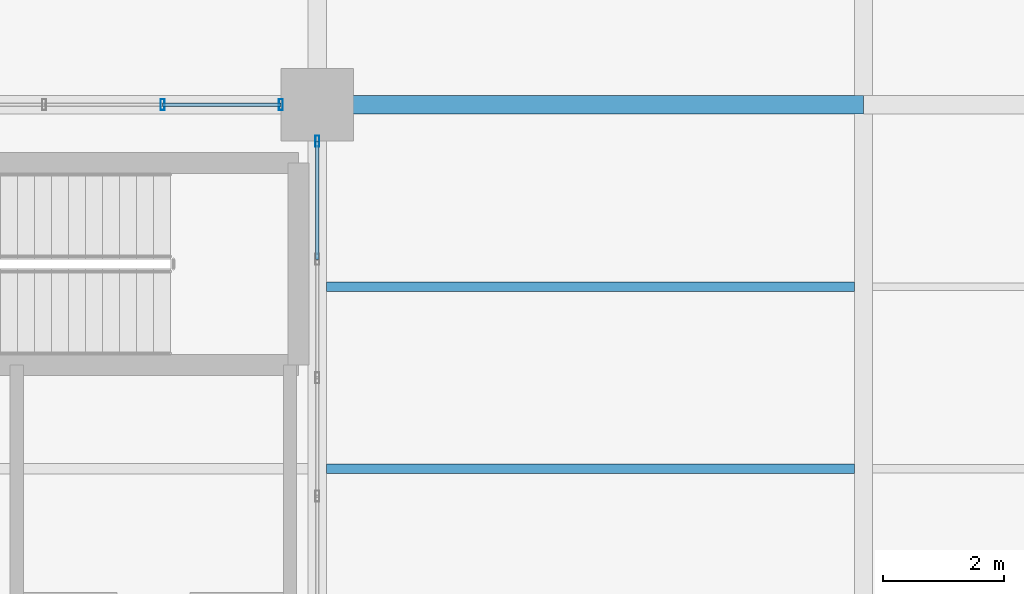
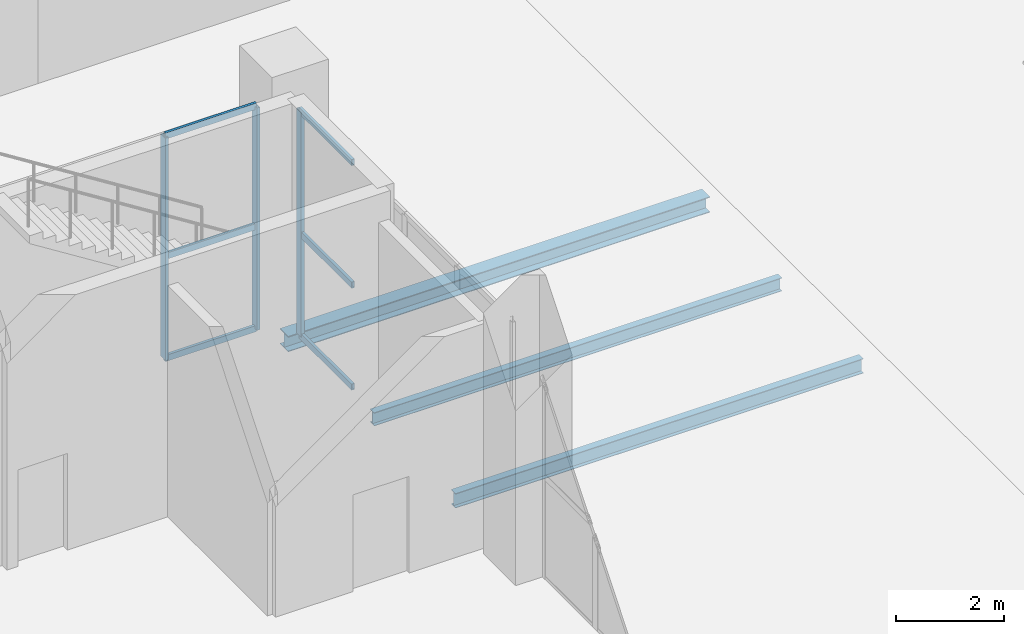
# One storey, part 64 of 144: 9 members, 3 beams, 2 elements without a shape of their own.
"""IFC4 building model written with IfcOpenShell, lengths in metres."""

from ifc_helpers import new_model, si_unit, direction, frame, origin, origin_2d, place, context, subcontext, project, spatial, hollow_rectangle, i_section, extrude, material, layer, layer_set, material_profile, profile_set, type_object, element, aggregate, save


model = new_model("IFC4")

# Units and contexts
model_context = context("Model", 3, precision=1e-05, world=origin(), true_north=direction((0.0, 1.0)))
body_context = subcontext(model_context, "Body", "Model", "MODEL_VIEW")
ifc_project = project(units=[si_unit("LENGTHUNIT", "METRE"), si_unit("AREAUNIT", "SQUARE_METRE"), si_unit("VOLUMEUNIT", "CUBIC_METRE"), si_unit("PLANEANGLEUNIT", "RADIAN"), si_unit("MASSUNIT", "GRAM", prefix="KILO")], contexts=[model_context])

# Site, building, storey
site_placement = place(None, origin())
site = spatial("IfcSite", under=ifc_project, at=site_placement, CompositionType="ELEMENT")
building_placement = place(site_placement, origin())
building = spatial("IfcBuilding", under=site, at=building_placement, Name="Sundgate Opera House", CompositionType="ELEMENT")
storey_placement = place(building_placement, origin())
storey = spatial("IfcBuildingStorey", under=building, at=storey_placement, Name="L00", CompositionType="ELEMENT", Elevation=0.0)

# Beams
ifc_material_1 = material(Name="Steel S355J2", Category="steel")
ifc_material_profile_1 = material_profile(ifc_material_1, i_section(OverallWidth=0.300048828125, OverallDepth=0.35009765625, WebThickness=0.010009765625, FlangeThickness=0.017578125, at=origin_2d()), Name="HEA 360")
ifc_profile_set_1 = profile_set([ifc_material_profile_1], Name="Steel S355J2")
beam_type_1 = type_object("IfcBeamType", Name="BM-GR-HEA360", PredefinedType="BEAM", material=ifc_profile_set_1)
beam_1_placement = place(storey_placement, frame((72.0, 78.0, -0.4951171875), z_axis=(1.0, 0.0, 0.0), x_axis=(0.0, 1.0, 0.0)))
element("IfcBeam", 1, at=beam_1_placement, inside=storey, type_object=beam_type_1, Name="L00 Primary E-W Girder B0488", PredefinedType="BEAM", context=body_context, shape_type="SweptSolid", body=[
    extrude(i_section(OverallWidth=0.300048828125, OverallDepth=0.35009765625, WebThickness=0.010009765625, FlangeThickness=0.017578125, at=origin_2d()), origin(), (0.0, 0.0, 1.0), 9.0),
])
ifc_material_2 = material(Name="Steel S355J2", Category="steel")
ifc_material_profile_2 = material_profile(ifc_material_2, i_section(OverallWidth=0.14990234375, OverallDepth=0.300048828125, WebThickness=0.007080078125, FlangeThickness=0.0107421875, at=origin_2d()), Name="IPE 300")
ifc_profile_set_2 = profile_set([ifc_material_profile_2], Name="Steel S355J2")
beam_type_2 = type_object("IfcBeamType", Name="BM-JS-IPE300", PredefinedType="JOIST", material=ifc_profile_set_2)
beam_2_placement = place(storey_placement, frame((72.14990234375, 75.0, -0.469970703125), z_axis=(1.0, 0.0, 0.0), x_axis=(0.0, 1.0, 0.0)))
element("IfcBeam", 2, at=beam_2_placement, inside=storey, type_object=beam_type_2, Name="L00 Secondary Floor Joist B0851", PredefinedType="JOIST", context=body_context, shape_type="SweptSolid", body=[
    extrude(i_section(OverallWidth=0.14990234375, OverallDepth=0.300048828125, WebThickness=0.007080078125, FlangeThickness=0.0107421875, at=origin_2d()), origin(), (0.0, 0.0, 1.0), 8.7001953125),
])
ifc_material_3 = material(Name="Steel S355J2", Category="steel")
ifc_material_profile_3 = material_profile(ifc_material_3, i_section(OverallWidth=0.159912109375, OverallDepth=0.330078125, WebThickness=0.007568359375, FlangeThickness=0.011474609375, at=origin_2d()), Name="IPE 330")
ifc_profile_set_3 = profile_set([ifc_material_profile_3], Name="Steel S355J2")
beam_type_3 = type_object("IfcBeamType", Name="BM-JS-IPE330", PredefinedType="JOIST", material=ifc_profile_set_3)
beam_3_placement = place(storey_placement, frame((72.14990234375, 72.0, -0.485107421875), z_axis=(1.0, 0.0, 0.0), x_axis=(0.0, 1.0, 0.0)))
element("IfcBeam", 3, at=beam_3_placement, inside=storey, type_object=beam_type_3, Name="L00 Secondary Floor Joist B0850", PredefinedType="JOIST", context=body_context, shape_type="SweptSolid", body=[
    extrude(i_section(OverallWidth=0.159912109375, OverallDepth=0.330078125, WebThickness=0.007568359375, FlangeThickness=0.011474609375, at=origin_2d()), origin(), (0.0, 0.0, 1.0), 8.7001953125),
])

# Curtain wall, members
ifc_material_4 = material(Name="Anodized aluminium and low-iron glass", Category="aluminium")
ifc_layer = layer(ifc_material_4, 0.179931640625)
ifc_layer_set = layer_set([ifc_layer], Name="Anodized aluminium and low-iron glass")
curtain_wall_type = type_object("IfcCurtainWallType", Name="CW-FOYER-GLASS", PredefinedType="NOTDEFINED", material=ifc_layer_set)
curtain_wall_1_placement = place(storey_placement, origin())
curtain_wall_1 = element("IfcCurtainWall", 4, at=curtain_wall_1_placement, inside=storey, type_object=curtain_wall_type, Name="L00 Curtain Wall CW004", PredefinedType="NOTDEFINED")
ifc_material_5 = material(Name="Anodized aluminium EN AW-6063", Category="aluminium")
ifc_material_profile_4 = material_profile(ifc_material_5, hollow_rectangle(XDim=0.06494140625, YDim=0.179931640625, WallThickness=0.00390625, at=origin_2d()), Name="CWM 180x65x4")
ifc_profile_set_4 = profile_set([ifc_material_profile_4], Name="Anodized aluminium EN AW-6063")
member_type_1 = type_object("IfcMemberType", Name="CWM-ALU-180x65", PredefinedType="MULLION", material=ifc_profile_set_4)
member_1_placement = place(storey_placement, frame((69.449951171875, 78.0, 0.0), z_axis=(0.0, 0.0, 1.0), x_axis=(1.0, 0.0, 0.0)))
member_1 = element("IfcMember", 5, at=member_1_placement, type_object=member_type_1, Name="CW004 Mullion 4", PredefinedType="MULLION", context=body_context, shape_type="SweptSolid", body=[
    extrude(hollow_rectangle(XDim=0.06494140625, YDim=0.179931640625, WallThickness=0.00390625, at=origin_2d()), origin(), (0.0, 0.0, 1.0), 5.014892578125),
])
member_2_placement = place(storey_placement, frame((71.39990234375, 78.0, 0.0), z_axis=(0.0, 0.0, 1.0), x_axis=(1.0, 0.0, 0.0)))
member_2 = element("IfcMember", 6, at=member_2_placement, type_object=member_type_1, Name="CW004 Mullion 5", PredefinedType="MULLION", context=body_context, shape_type="SweptSolid", body=[
    extrude(hollow_rectangle(XDim=0.06494140625, YDim=0.179931640625, WallThickness=0.00390625, at=origin_2d()), origin(), (0.0, 0.0, 1.0), 5.014892578125),
])

# Curtain wall, member
curtain_wall_2_placement = place(storey_placement, origin())
curtain_wall_2 = element("IfcCurtainWall", 7, at=curtain_wall_2_placement, inside=storey, type_object=curtain_wall_type, Name="L00 Curtain Wall CW010", PredefinedType="NOTDEFINED")
member_3_placement = place(storey_placement, frame((72.0, 77.39990234375, 0.0), z_axis=(0.0, 0.0, 1.0), x_axis=(1.0, 0.0, 0.0)))
member_3 = element("IfcMember", 8, at=member_3_placement, type_object=member_type_1, Name="CW010 Mullion 5", PredefinedType="MULLION", context=body_context, shape_type="SweptSolid", body=[
    extrude(hollow_rectangle(XDim=0.06494140625, YDim=0.179931640625, WallThickness=0.00390625, at=origin_2d()), origin(), (0.0, 0.0, 1.0), 5.06494140625),
])

# Member
ifc_material_6 = material(Name="Anodized aluminium EN AW-6063", Category="aluminium")
ifc_material_profile_5 = material_profile(ifc_material_6, hollow_rectangle(XDim=0.06005859375, YDim=0.139892578125, WallThickness=0.00390625, at=origin_2d()), Name="CWT 140x60x4")
ifc_profile_set_5 = profile_set([ifc_material_profile_5], Name="Anodized aluminium EN AW-6063")
member_type_2 = type_object("IfcMemberType", Name="CWT-ALU-140x60", PredefinedType="USERDEFINED", material=ifc_profile_set_5)
member_4_placement = place(storey_placement, frame((69.449951171875, 78.0, 0.0), z_axis=(1.0, 0.0, 0.0), x_axis=(0.0, 1.0, 0.0)))
member_4 = element("IfcMember", 9, at=member_4_placement, type_object=member_type_2, Name="CW004 Transom 10", ObjectType="TRANSOM", PredefinedType="USERDEFINED", context=body_context, shape_type="SweptSolid", body=[
    extrude(hollow_rectangle(XDim=0.06005859375, YDim=0.139892578125, WallThickness=0.00390625, at=origin_2d()), origin(), (0.0, 0.0, 1.0), 1.949951171875),
])

member_5_placement = place(storey_placement, frame((69.449951171875, 78.0, 2.300048828125), z_axis=(1.0, 0.0, 0.0), x_axis=(0.0, 1.0, 0.0)))
member_5 = element("IfcMember", 10, at=member_5_placement, type_object=member_type_2, Name="CW004 Transom 11", ObjectType="TRANSOM", PredefinedType="USERDEFINED", context=body_context, shape_type="SweptSolid", body=[
    extrude(hollow_rectangle(XDim=0.06005859375, YDim=0.139892578125, WallThickness=0.00390625, at=origin_2d()), origin(), (0.0, 0.0, 1.0), 1.949951171875),
])

member_6_placement = place(storey_placement, frame((69.449951171875, 78.0, 5.014892578125), z_axis=(1.0, 0.0, 0.0), x_axis=(0.0, 1.0, 0.0)))
member_6 = element("IfcMember", 11, at=member_6_placement, type_object=member_type_2, Name="CW004 Transom 12", ObjectType="TRANSOM", PredefinedType="USERDEFINED", context=body_context, shape_type="SweptSolid", body=[
    extrude(hollow_rectangle(XDim=0.06005859375, YDim=0.139892578125, WallThickness=0.00390625, at=origin_2d()), origin(), (0.0, 0.0, 1.0), 1.949951171875),
])

aggregate(curtain_wall_1, [member_1, member_2, member_4, member_5, member_6])

member_7_placement = place(storey_placement, frame((72.0, 75.449951171875, 0.0), z_axis=(0.0, 1.0, 0.0), x_axis=(-1.0, 0.0, 0.0)))
member_7 = element("IfcMember", 12, at=member_7_placement, type_object=member_type_2, Name="CW010 Transom 10", ObjectType="TRANSOM", PredefinedType="USERDEFINED", context=body_context, shape_type="SweptSolid", body=[
    extrude(hollow_rectangle(XDim=0.06005859375, YDim=0.139892578125, WallThickness=0.00390625, at=origin_2d()), origin(), (0.0, 0.0, 1.0), 1.949951171875),
])

member_8_placement = place(storey_placement, frame((72.0, 75.449951171875, 2.300048828125), z_axis=(0.0, 1.0, 0.0), x_axis=(-1.0, 0.0, 0.0)))
member_8 = element("IfcMember", 13, at=member_8_placement, type_object=member_type_2, Name="CW010 Transom 11", ObjectType="TRANSOM", PredefinedType="USERDEFINED", context=body_context, shape_type="SweptSolid", body=[
    extrude(hollow_rectangle(XDim=0.06005859375, YDim=0.139892578125, WallThickness=0.00390625, at=origin_2d()), origin(), (0.0, 0.0, 1.0), 1.949951171875),
])

member_9_placement = place(storey_placement, frame((72.0, 75.449951171875, 5.06494140625), z_axis=(0.0, 1.0, 0.0), x_axis=(-1.0, 0.0, 0.0)))
member_9 = element("IfcMember", 14, at=member_9_placement, type_object=member_type_2, Name="CW010 Transom 12", ObjectType="TRANSOM", PredefinedType="USERDEFINED", context=body_context, shape_type="SweptSolid", body=[
    extrude(hollow_rectangle(XDim=0.06005859375, YDim=0.139892578125, WallThickness=0.00390625, at=origin_2d()), origin(), (0.0, 0.0, 1.0), 1.949951171875),
])

aggregate(curtain_wall_2, [member_3, member_7, member_8, member_9])

save(model, "model.ifc")
